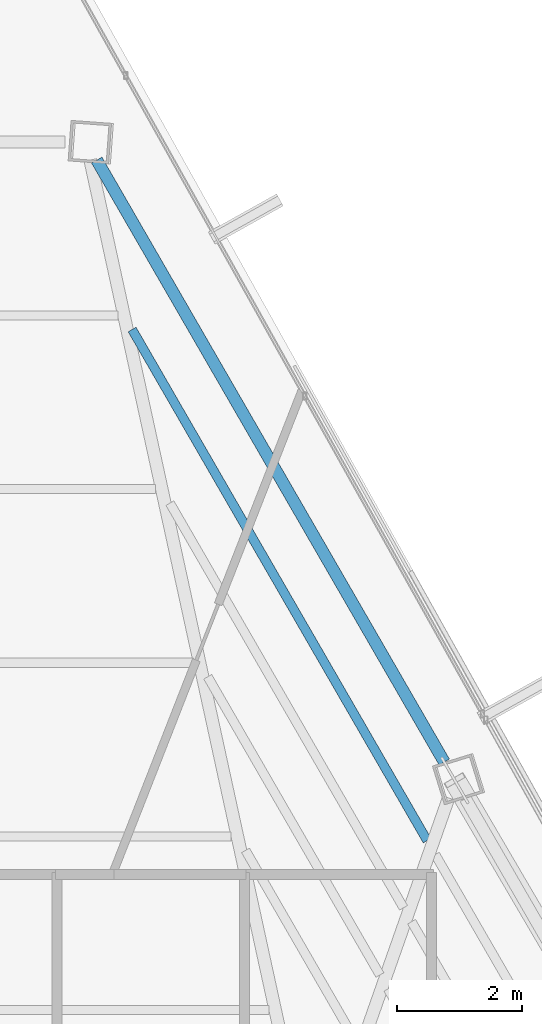
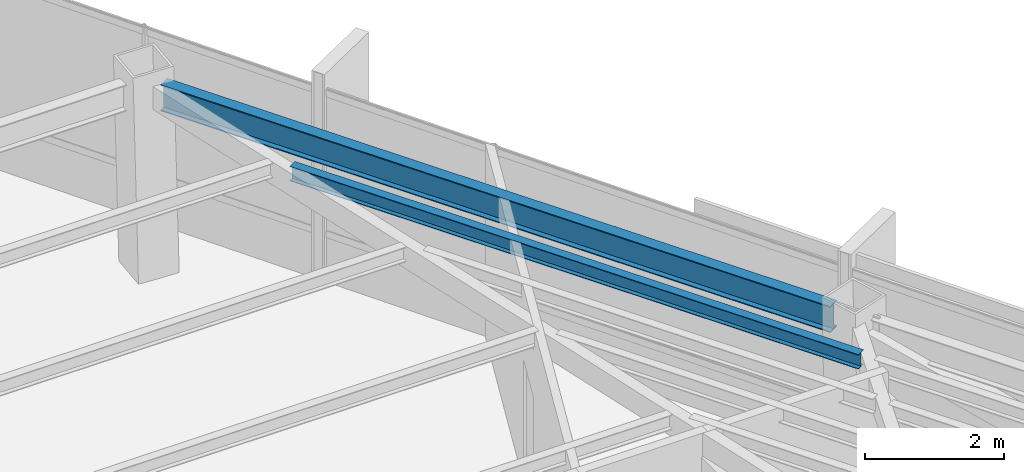
# One storey, part 35 of 46: 2 beams.
"""IFC4 building model written with IfcOpenShell, lengths in metres."""

from ifc_helpers import new_model, si_unit, direction, frame, origin, origin_2d, place, context, subcontext, project, spatial, i_section, extrude, source, transform, mapped, material, material_profile, profile_set, type_object, type_shapes, element, save


model = new_model("IFC4")

# Units and contexts
model_context = context("Model", 3, precision=1e-05, world=origin(), true_north=direction((0.0, 1.0)))
body_context = subcontext(model_context, "Body", "Model", "MODEL_VIEW")
ifc_project = project(units=[si_unit("LENGTHUNIT", "METRE"), si_unit("AREAUNIT", "SQUARE_METRE"), si_unit("VOLUMEUNIT", "CUBIC_METRE"), si_unit("PLANEANGLEUNIT", "RADIAN"), si_unit("MASSUNIT", "GRAM", prefix="KILO")], contexts=[model_context])

# Site, building, storey
site_placement = place(None, origin())
site = spatial("IfcSite", under=ifc_project, at=site_placement, CompositionType="ELEMENT")
building_placement = place(site_placement, origin())
building = spatial("IfcBuilding", under=site, at=building_placement, Name="Caelisora Broadcast Tower", CompositionType="ELEMENT")
storey_placement = place(building_placement, frame((0.0, 0.0, 251.75)))
storey = spatial("IfcBuildingStorey", under=building, at=storey_placement, Name="L66", CompositionType="ELEMENT", Elevation=251.75)

# Beams
ifc_material = material(Name="Steel Grade 350 (AS/NZS 3679.1)", Category="steel")
ifc_material_profile_1 = material_profile(ifc_material, i_section(OverallWidth=0.19091796875, OverallDepth=0.46044921875, WebThickness=0.010009765625, FlangeThickness=0.01611328125, at=origin_2d()), Name="Steel Grade 350 (AS/NZS 3679.1)")
ifc_profile_set_1 = profile_set([ifc_material_profile_1], Name="Steel Grade 350 (AS/NZS 3679.1)")
beam_type_1 = type_object("IfcBeamType", Name="PG06", PredefinedType="BEAM", material=ifc_profile_set_1)
shared_shape_1 = source(origin(), body_context, "Body", "SweptSolid", [
    extrude(i_section(OverallWidth=0.19091796875, OverallDepth=0.46044921875, WebThickness=0.010009765625, FlangeThickness=0.01611328125, at=origin_2d()), origin(), (0.0, 0.0, 1.0), 11.124267578125),
])
type_shapes(beam_type_1, [shared_shape_1])
beam_1_placement = place(storey_placement, frame((47.60107421875, 36.746337890625, 3.169921875), z_axis=(-0.500012482886, 0.866018196667, 0.0), x_axis=(-0.866018196667, -0.500012482886, 0.0)))
element("IfcBeam", 1, at=beam_1_placement, inside=storey, type_object=beam_type_1, Name="L66 beam PG06", PredefinedType="BEAM", context=body_context, shape_type="MappedRepresentation", body=[
    mapped(shared_shape_1, transform((0.0, 0.0, 0.0), scale=1.0)),
])
ifc_material_profile_2 = material_profile(ifc_material, i_section(OverallWidth=0.14599609375, OverallDepth=0.256103515625, WebThickness=0.00634765625, FlangeThickness=0.010986328125, at=origin_2d()), Name="Steel Grade 350 (AS/NZS 3679.1)")
ifc_profile_set_2 = profile_set([ifc_material_profile_2], Name="Steel Grade 350 (AS/NZS 3679.1)")
beam_type_2 = type_object("IfcBeamType", Name="SB04", PredefinedType="JOIST", material=ifc_profile_set_2)
shared_shape_2 = source(origin(), body_context, "Body", "SweptSolid", [
    extrude(i_section(OverallWidth=0.14599609375, OverallDepth=0.256103515625, WebThickness=0.00634765625, FlangeThickness=0.010986328125, at=origin_2d()), origin(), (0.0, 0.0, 1.0), 9.444580078125),
])
type_shapes(beam_type_2, [shared_shape_2])
beam_2_placement = place(storey_placement, frame((47.327392578125, 35.489501953125, 3.27197265625), z_axis=(-0.500011851064, 0.866018561461, 0.0), x_axis=(-0.866018561461, -0.500011851064, 0.0)))
element("IfcBeam", 2, at=beam_2_placement, inside=storey, type_object=beam_type_2, Name="L66 beam SB04", PredefinedType="JOIST", context=body_context, shape_type="MappedRepresentation", body=[
    mapped(shared_shape_2, transform((0.0, 0.0, 0.0), scale=1.0)),
])

save(model, "model.ifc")
